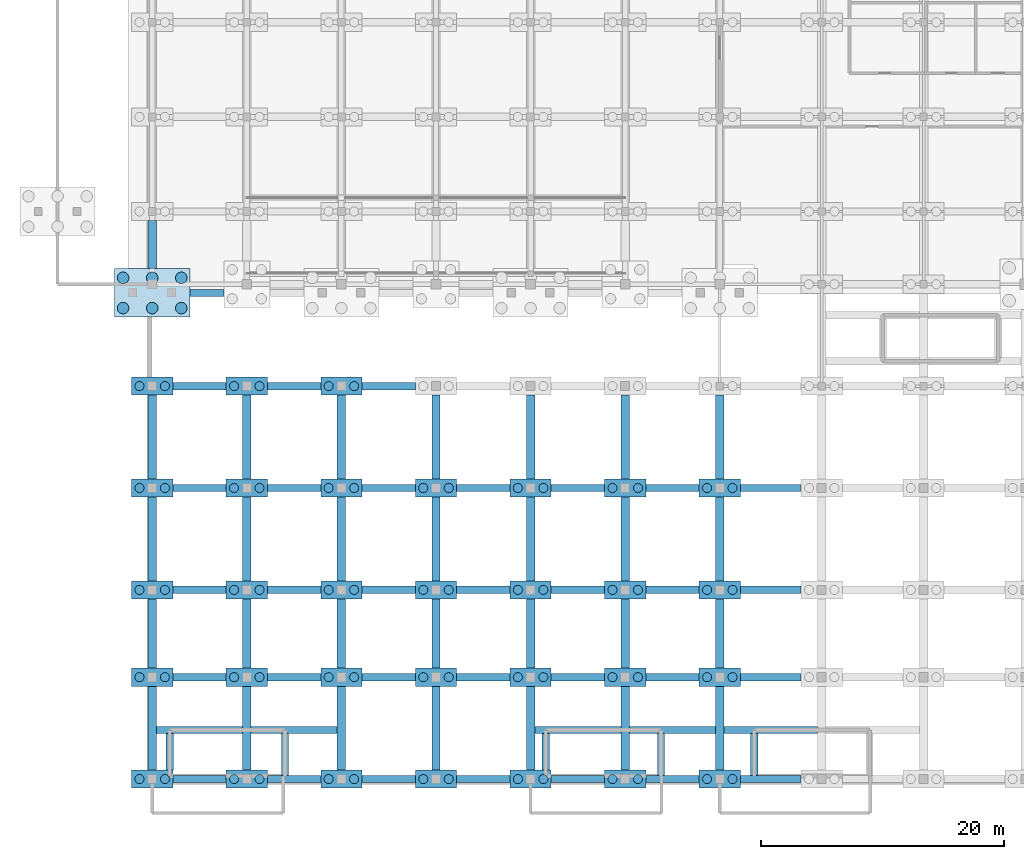
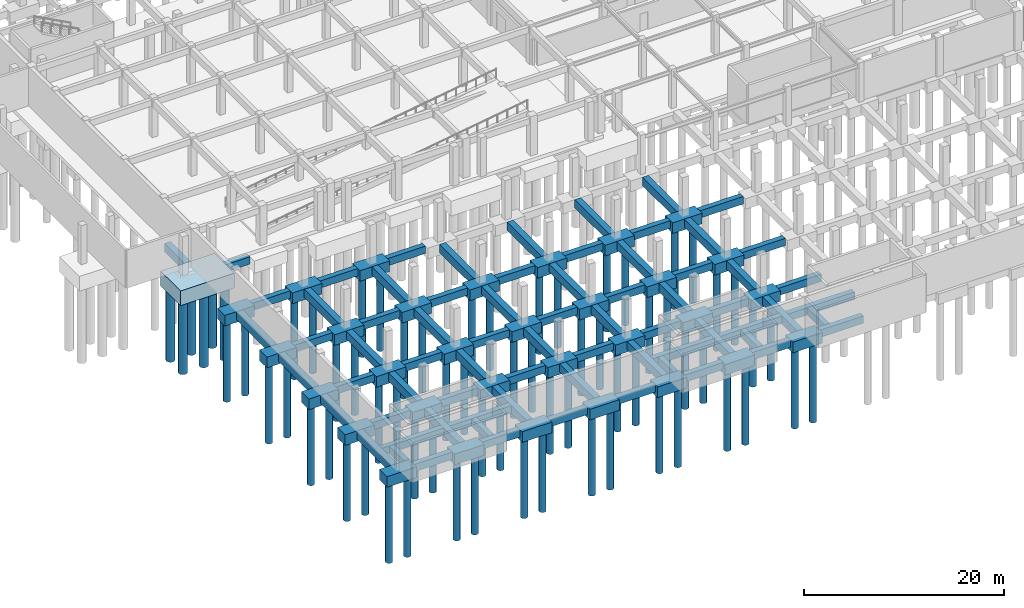
# One storey, part 1 of 26: 103 footings, 68 piles.
"""IFC4 building model written with IfcOpenShell, lengths in metres."""

import ifcopenshell
import ifcopenshell.guid

model = None  # the IFC model being written
_history = None  # IfcOwnerHistory: only IFC2X3 demands one
_inside = {}  # id of a spatial element -> (the spatial element, [elements in it])
_under = {}  # id of a project, library or spatial element -> (it, [spatial elements below it])
_declared = {}  # id of a project -> (the project, [libraries it declares])
_typed = {}  # id of a type object -> (the type object, [elements of that type])
_made_of = {}  # id of a material, layer set ... -> (it, [elements and type objects made of it])


def new_model(schema):
    """Start an empty IFC model of exactly this schema.

    Asked for "IFC4X3", IfcOpenShell would pick the latest addendum, in which some entities
    have other attributes; the version numbers below select the first issue.
    IFC2X3 requires an IfcOwnerHistory on every rooted entity: one is made here for all.
    """
    global model, _history
    if schema == "IFC4X3":
        model = ifcopenshell.file(schema_version=(4, 3, 0, 0))
    else:
        model = ifcopenshell.file(schema=schema)
    _inside.clear()
    _under.clear()
    _declared.clear()
    _typed.clear()
    _made_of.clear()
    _history = None
    if model.schema == "IFC2X3":
        org = make("IfcOrganization", Name="unknown")
        user = make(
            "IfcPersonAndOrganization",
            ThePerson=make("IfcPerson", FamilyName="unknown"),
            TheOrganization=org,
        )
        app = make(
            "IfcApplication",
            ApplicationDeveloper=org,
            Version="unknown",
            ApplicationFullName="unknown",
            ApplicationIdentifier="unknown",
        )
        _history = make(
            "IfcOwnerHistory",
            OwningUser=user,
            OwningApplication=app,
            ChangeAction="ADDED",
            CreationDate=0,
        )
    return model


def make(cls, **values):
    """One entity of the class cls with the attributes given. An attribute that is None is left unset."""
    return model.create_entity(
        cls, **{name: value for name, value in values.items() if value is not None}
    )


def rooted(cls, **values):
    """An entity with a GlobalId (a new one), such as an element, a storey or a relation."""
    return make(cls, GlobalId=ifcopenshell.guid.new(), OwnerHistory=_history, **values)


def si_unit(unit_type, name, prefix=None):
    """IfcSIUnit, for example si_unit("LENGTHUNIT", "METRE", prefix="MILLI")."""
    return make("IfcSIUnit", UnitType=unit_type, Prefix=prefix, Name=name)


def assignment(units):
    """IfcUnitAssignment: the units of a project."""
    return None if units is None else make("IfcUnitAssignment", Units=units)


def point(xyz):
    """IfcCartesianPoint."""
    return None if xyz is None else make("IfcCartesianPoint", Coordinates=xyz)


def direction(xyz):
    """IfcDirection."""
    return None if xyz is None else make("IfcDirection", DirectionRatios=xyz)


def frame(location, z_axis=None, x_axis=None):
    """IfcAxis2Placement3D, a coordinate frame: its origin and axes. An axis left out is left unset."""
    return make(
        "IfcAxis2Placement3D",
        Location=point(location),
        Axis=direction(z_axis),
        RefDirection=direction(x_axis),
    )


def frame_2d(location, x_axis=None):
    """IfcAxis2Placement2D, a coordinate frame in the plane: its origin and x axis."""
    return make(
        "IfcAxis2Placement2D", Location=point(location), RefDirection=direction(x_axis)
    )


def origin():
    """The frame at (0, 0, 0) with its axes left unset."""
    return frame((0.0, 0.0, 0.0))


def origin_2d():
    """The frame at (0, 0) in the plane with its x axis left unset."""
    return frame_2d((0.0, 0.0))


def place(relative_to, where):
    """IfcLocalPlacement: puts the frame where relative to a parent placement (None: the world)."""
    return make(
        "IfcLocalPlacement", PlacementRelTo=relative_to, RelativePlacement=where
    )


def context(
    kind, dimensions, precision=None, world=None, true_north=None, identifier=None
):
    """IfcGeometricRepresentationContext, for example the 3D "Model" context."""
    return make(
        "IfcGeometricRepresentationContext",
        ContextIdentifier=identifier,
        ContextType=kind,
        CoordinateSpaceDimension=dimensions,
        Precision=precision,
        WorldCoordinateSystem=world,
        TrueNorth=true_north,
    )


def subcontext(parent, identifier, kind, view, scale=None):
    """IfcGeometricRepresentationSubContext, for example "Body" below "Model"."""
    return make(
        "IfcGeometricRepresentationSubContext",
        ContextIdentifier=identifier,
        ContextType=kind,
        ParentContext=parent,
        TargetScale=scale,
        TargetView=view,
    )


def project(units=None, contexts=None):
    """IfcProject with its units and contexts."""
    return rooted(
        "IfcProject",
        Name="project",
        RepresentationContexts=contexts,
        UnitsInContext=assignment(units),
    )


def spatial(cls, under=None, at=None, **own):
    """A site, building, storey or space (cls), placed at a placement, below another one or the project."""
    s = rooted(cls, ObjectPlacement=at, **own)
    if under is not None:
        _under.setdefault(under.id(), (under, []))[1].append(s)
    return s


def profile(cls, at=None, kind="AREA", **sizes):
    """A parametric profile (cls). Its sizes go by their IFC names, for example OverallWidth=200.0."""
    return make(cls, ProfileType=kind, Position=at, **sizes)


def rectangle(**sizes):
    """IfcRectangleProfileDef."""
    return profile("IfcRectangleProfileDef", **sizes)


def circle(**sizes):
    """IfcCircleProfileDef."""
    return profile("IfcCircleProfileDef", **sizes)


def extrude(swept, where, along, depth):
    """IfcExtrudedAreaSolid: the profile swept, set in the frame where, extruded along a direction by depth."""
    return make(
        "IfcExtrudedAreaSolid",
        SweptArea=swept,
        Position=where,
        ExtrudedDirection=direction(along),
        Depth=depth,
    )


def shape(context_of_items, identifier, shape_type, items):
    """IfcShapeRepresentation: the items that make up one representation, for example the "Body"."""
    return make(
        "IfcShapeRepresentation",
        ContextOfItems=context_of_items,
        RepresentationIdentifier=identifier,
        RepresentationType=shape_type,
        Items=items,
    )


def material(Name=None, Category=None):
    """IfcMaterial."""
    return make("IfcMaterial", Name=Name, Category=Category)


def material_profile(
    of_material, cross_section, Name=None, Category=None, Priority=None
):
    """IfcMaterialProfile: a cross section and its material."""
    return make(
        "IfcMaterialProfile",
        Name=Name,
        Material=of_material,
        Profile=cross_section,
        Priority=Priority,
        Category=Category,
    )


def profile_set(profiles, Name=None, composite=None):
    """IfcMaterialProfileSet."""
    return make(
        "IfcMaterialProfileSet",
        Name=Name,
        MaterialProfiles=profiles,
        CompositeProfile=composite,
    )


def made_of(thing, what):
    """Note that an element or type object is made of a material, layer set ...; save() writes the relation."""
    if what is not None:
        _made_of.setdefault(what.id(), (what, []))[1].append(thing)
    return thing


def type_object(cls, material=None, **own):
    """A type object (cls), such as IfcWallType, which elements share."""
    return made_of(rooted(cls, **own), material)


def element(
    cls,
    number,
    at=None,
    inside=None,
    cuts=None,
    type_object=None,
    material=None,
    context=None,
    identifier="Body",
    shape_type=None,
    held_by="IfcProductDefinitionShape",
    body=None,
    shapes=None,
    **own,
):
    """One element of the class cls, such as IfcWall. Its Tag is "e" and its number.

    at: its placement. inside: the storey or other place that contains it. cuts: it is an
    opening in that element (IfcRelVoidsElement). A single representation is given by context,
    identifier, shape_type and body (its items); several are given by shapes. held_by: the class
    of the entity that holds the representations. save() writes the other relations.
    """
    e = rooted(cls, Tag="e%d" % number, ObjectPlacement=at, **own)
    if body is not None:
        shapes = [shape(context, identifier, shape_type, body)]
    if shapes is not None:
        e.Representation = make(held_by, Representations=shapes)
    if inside is not None:
        _inside.setdefault(inside.id(), (inside, []))[1].append(e)
    if cuts is not None:
        rooted(
            "IfcRelVoidsElement", RelatingBuildingElement=cuts, RelatedOpeningElement=e
        )
    if type_object is not None:
        _typed.setdefault(type_object.id(), (type_object, []))[1].append(e)
    return made_of(e, material)


def aggregate(whole, parts):
    """IfcRelAggregates: a whole, such as a stair, and the parts it consists of."""
    return rooted("IfcRelAggregates", RelatingObject=whole, RelatedObjects=parts)


def save(model, path):
    """Write the relations noted so far, then the file.

    IfcRelAggregates (storeys below a building ...), IfcRelContainedInSpatialStructure (elements
    in a storey), IfcRelDefinesByType, IfcRelAssociatesMaterial and IfcRelDeclares: one each for
    every whole, place, type object, material and project.
    """
    for whole, parts in _under.values():
        aggregate(whole, parts)
    for where, things in _inside.values():
        rooted(
            "IfcRelContainedInSpatialStructure",
            RelatedElements=things,
            RelatingStructure=where,
        )
    for kind, things in _typed.values():
        rooted("IfcRelDefinesByType", RelatedObjects=things, RelatingType=kind)
    for what, things in _made_of.values():
        rooted("IfcRelAssociatesMaterial", RelatedObjects=things, RelatingMaterial=what)
    for by, libraries in _declared.values():
        rooted("IfcRelDeclares", RelatingContext=by, RelatedDefinitions=libraries)
    model.write(path)


model = new_model("IFC4")

# Units and contexts
model_context = context("Model", 3, precision=1e-05, world=origin(), true_north=direction((0.0, 1.0)))
body_context = subcontext(model_context, "Body", "Model", "MODEL_VIEW")
ifc_project = project(units=[si_unit("LENGTHUNIT", "METRE"), si_unit("AREAUNIT", "SQUARE_METRE"), si_unit("VOLUMEUNIT", "CUBIC_METRE"), si_unit("PLANEANGLEUNIT", "RADIAN"), si_unit("MASSUNIT", "GRAM", prefix="KILO")], contexts=[model_context])

# Site, building, storey
site_placement = place(None, origin())
site = spatial("IfcSite", under=ifc_project, at=site_placement, CompositionType="ELEMENT")
building_placement = place(site_placement, origin())
building = spatial("IfcBuilding", under=site, at=building_placement, Name="Tizgana Railside Sports Hall", CompositionType="ELEMENT")
storey_placement = place(building_placement, frame((0.0, 0.0, -4.800048828125)))
storey = spatial("IfcBuildingStorey", under=building, at=storey_placement, Name="B1", CompositionType="ELEMENT", Elevation=-4.800048828125)

# Piles
ifc_material = material(Name="Concrete C35/45", Category="concrete")
ifc_material_profile_1 = material_profile(ifc_material, circle(Radius=0.375, at=origin_2d()), Name="PILE D750")
ifc_profile_set_1 = profile_set([ifc_material_profile_1], Name="Concrete C35/45")
pile_type_1 = type_object("IfcPileType", Name="Bored Pile D750", PredefinedType="BORED", material=ifc_profile_set_1)
for number, where, z_axis, x_axis, name in (
    (1, (6.75, 0.0, -1.199951171875), (0.0, 0.0, -1.0), (1.0, 0.0, 0.0), "B1 PIL-0025"),
    (2, (8.85009765625, 0.0, -1.199951171875), (0.0, 0.0, -1.0), (1.0, 0.0, 0.0), "B1 PIL-0026"),
    (3, (6.75, 8.39990234375, -1.199951171875), (0.0, 0.0, -1.0), (1.0, 0.0, 0.0), "B1 PIL-0027"),
    (4, (8.85009765625, 8.39990234375, -1.199951171875), (0.0, 0.0, -1.0), (1.0, 0.0, 0.0), "B1 PIL-0028"),
    (5, (6.75, 15.60009765625, -1.199951171875), (0.0, 0.0, -1.0), (1.0, 0.0, 0.0), "B1 PIL-0029"),
    (6, (8.85009765625, 15.60009765625, -1.199951171875), (0.0, 0.0, -1.0), (1.0, 0.0, 0.0), "B1 PIL-0030"),
    (7, (6.75, 24.0, -1.199951171875), (0.0, 0.0, -1.0), (1.0, 0.0, 0.0), "B1 PIL-0031"),
    (8, (8.85009765625, 24.0, -1.199951171875), (0.0, 0.0, -1.0), (1.0, 0.0, 0.0), "B1 PIL-0032"),
    (9, (6.75, 32.39990234375, -1.199951171875), (0.0, 0.0, -1.0), (1.0, 0.0, 0.0), "B1 PIL-0033"),
    (10, (8.85009765625, 32.39990234375, -1.199951171875), (0.0, 0.0, -1.0), (1.0, 0.0, 0.0), "B1 PIL-0034"),
    (11, (14.550048828125, 0.0, -1.199951171875), (0.0, 0.0, -1.0), (1.0, 0.0, 0.0), "B1 PIL-0049"),
    (12, (16.64990234375, 0.0, -1.199951171875), (0.0, 0.0, -1.0), (1.0, 0.0, 0.0), "B1 PIL-0050"),
    (13, (14.550048828125, 8.39990234375, -1.199951171875), (0.0, 0.0, -1.0), (1.0, 0.0, 0.0), "B1 PIL-0051"),
    (14, (16.64990234375, 8.39990234375, -1.199951171875), (0.0, 0.0, -1.0), (1.0, 0.0, 0.0), "B1 PIL-0052"),
    (15, (14.550048828125, 15.60009765625, -1.199951171875), (0.0, 0.0, -1.0), (1.0, 0.0, 0.0), "B1 PIL-0053"),
    (16, (16.64990234375, 15.60009765625, -1.199951171875), (0.0, 0.0, -1.0), (1.0, 0.0, 0.0), "B1 PIL-0054"),
    (17, (14.550048828125, 24.0, -1.199951171875), (0.0, 0.0, -1.0), (1.0, 0.0, 0.0), "B1 PIL-0055"),
    (18, (16.64990234375, 24.0, -1.199951171875), (0.0, 0.0, -1.0), (1.0, 0.0, 0.0), "B1 PIL-0056"),
    (19, (14.550048828125, 32.39990234375, -1.199951171875), (0.0, 0.0, -1.0), (1.0, 0.0, 0.0), "B1 PIL-0057"),
    (20, (16.64990234375, 32.39990234375, -1.199951171875), (0.0, 0.0, -1.0), (1.0, 0.0, 0.0), "B1 PIL-0058"),
    (21, (22.35009765625, 0.0, -1.199951171875), (0.0, 0.0, -1.0), (1.0, 0.0, 0.0), "B1 PIL-0093"),
    (22, (24.449951171875, 0.0, -1.199951171875), (0.0, 0.0, -1.0), (1.0, 0.0, 0.0), "B1 PIL-0094"),
    (23, (22.35009765625, 8.39990234375, -1.199951171875), (0.0, 0.0, -1.0), (1.0, 0.0, 0.0), "B1 PIL-0095"),
    (24, (24.449951171875, 8.39990234375, -1.199951171875), (0.0, 0.0, -1.0), (1.0, 0.0, 0.0), "B1 PIL-0096"),
    (25, (22.35009765625, 15.60009765625, -1.199951171875), (0.0, 0.0, -1.0), (1.0, 0.0, 0.0), "B1 PIL-0097"),
    (26, (24.449951171875, 15.60009765625, -1.199951171875), (0.0, 0.0, -1.0), (1.0, 0.0, 0.0), "B1 PIL-0098"),
    (27, (22.35009765625, 24.0, -1.199951171875), (0.0, 0.0, -1.0), (1.0, 0.0, 0.0), "B1 PIL-0099"),
    (28, (24.449951171875, 24.0, -1.199951171875), (0.0, 0.0, -1.0), (1.0, 0.0, 0.0), "B1 PIL-0100"),
    (29, (22.35009765625, 32.39990234375, -1.199951171875), (0.0, 0.0, -1.0), (1.0, 0.0, 0.0), "B1 PIL-0101"),
    (30, (24.449951171875, 32.39990234375, -1.199951171875), (0.0, 0.0, -1.0), (1.0, 0.0, 0.0), "B1 PIL-0102"),
    (31, (30.14990234375, 0.0, -1.199951171875), (0.0, 0.0, -1.0), (1.0, 0.0, 0.0), "B1 PIL-0117"),
    (32, (32.25, 0.0, -1.199951171875), (0.0, 0.0, -1.0), (1.0, 0.0, 0.0), "B1 PIL-0118"),
    (33, (30.14990234375, 8.39990234375, -1.199951171875), (0.0, 0.0, -1.0), (1.0, 0.0, 0.0), "B1 PIL-0119"),
    (34, (32.25, 8.39990234375, -1.199951171875), (0.0, 0.0, -1.0), (1.0, 0.0, 0.0), "B1 PIL-0120"),
    (35, (30.14990234375, 15.60009765625, -1.199951171875), (0.0, 0.0, -1.0), (1.0, 0.0, 0.0), "B1 PIL-0121"),
    (36, (32.25, 15.60009765625, -1.199951171875), (0.0, 0.0, -1.0), (1.0, 0.0, 0.0), "B1 PIL-0122"),
    (37, (30.14990234375, 24.0, -1.199951171875), (0.0, 0.0, -1.0), (1.0, 0.0, 0.0), "B1 PIL-0123"),
    (38, (32.25, 24.0, -1.199951171875), (0.0, 0.0, -1.0), (1.0, 0.0, 0.0), "B1 PIL-0124"),
    (39, (37.949951171875, 0.0, -1.199951171875), (0.0, 0.0, -1.0), (1.0, 0.0, 0.0), "B1 PIL-0161"),
    (40, (40.050048828125, 0.0, -1.199951171875), (0.0, 0.0, -1.0), (1.0, 0.0, 0.0), "B1 PIL-0162"),
    (41, (37.949951171875, 8.39990234375, -1.199951171875), (0.0, 0.0, -1.0), (1.0, 0.0, 0.0), "B1 PIL-0163"),
    (42, (40.050048828125, 8.39990234375, -1.199951171875), (0.0, 0.0, -1.0), (1.0, 0.0, 0.0), "B1 PIL-0164"),
    (43, (37.949951171875, 15.60009765625, -1.199951171875), (0.0, 0.0, -1.0), (1.0, 0.0, 0.0), "B1 PIL-0165"),
    (44, (40.050048828125, 15.60009765625, -1.199951171875), (0.0, 0.0, -1.0), (1.0, 0.0, 0.0), "B1 PIL-0166"),
    (45, (37.949951171875, 24.0, -1.199951171875), (0.0, 0.0, -1.0), (1.0, 0.0, 0.0), "B1 PIL-0167"),
    (46, (40.050048828125, 24.0, -1.199951171875), (0.0, 0.0, -1.0), (1.0, 0.0, 0.0), "B1 PIL-0168"),
    (47, (45.75, 0.0, -1.199951171875), (0.0, 0.0, -1.0), (1.0, 0.0, 0.0), "B1 PIL-0181"),
    (48, (47.85009765625, 0.0, -1.199951171875), (0.0, 0.0, -1.0), (1.0, 0.0, 0.0), "B1 PIL-0182"),
    (49, (45.75, 8.39990234375, -1.199951171875), (0.0, 0.0, -1.0), (1.0, 0.0, 0.0), "B1 PIL-0183"),
    (50, (47.85009765625, 8.39990234375, -1.199951171875), (0.0, 0.0, -1.0), (1.0, 0.0, 0.0), "B1 PIL-0184"),
    (51, (45.75, 15.60009765625, -1.199951171875), (0.0, 0.0, -1.0), (1.0, 0.0, 0.0), "B1 PIL-0185"),
    (52, (47.85009765625, 15.60009765625, -1.199951171875), (0.0, 0.0, -1.0), (1.0, 0.0, 0.0), "B1 PIL-0186"),
    (53, (45.75, 24.0, -1.199951171875), (0.0, 0.0, -1.0), (1.0, 0.0, 0.0), "B1 PIL-0187"),
    (54, (47.85009765625, 24.0, -1.199951171875), (0.0, 0.0, -1.0), (1.0, 0.0, 0.0), "B1 PIL-0188"),
    (55, (53.550048828125, 0.0, -1.199951171875), (0.0, 0.0, -1.0), (1.0, 0.0, 0.0), "B1 PIL-0221"),
    (56, (55.64990234375, 0.0, -1.199951171875), (0.0, 0.0, -1.0), (1.0, 0.0, 0.0), "B1 PIL-0222"),
    (57, (53.550048828125, 8.39990234375, -1.199951171875), (0.0, 0.0, -1.0), (1.0, 0.0, 0.0), "B1 PIL-0223"),
    (58, (55.64990234375, 8.39990234375, -1.199951171875), (0.0, 0.0, -1.0), (1.0, 0.0, 0.0), "B1 PIL-0224"),
    (59, (53.550048828125, 15.60009765625, -1.199951171875), (0.0, 0.0, -1.0), (1.0, 0.0, 0.0), "B1 PIL-0225"),
    (60, (55.64990234375, 15.60009765625, -1.199951171875), (0.0, 0.0, -1.0), (1.0, 0.0, 0.0), "B1 PIL-0226"),
    (61, (53.550048828125, 24.0, -1.199951171875), (0.0, 0.0, -1.0), (1.0, 0.0, 0.0), "B1 PIL-0227"),
    (62, (55.64990234375, 24.0, -1.199951171875), (0.0, 0.0, -1.0), (1.0, 0.0, 0.0), "B1 PIL-0228"),
):
    element("IfcPile", number, at=place(storey_placement, frame(where, z_axis=z_axis, x_axis=x_axis)), inside=storey, type_object=pile_type_1, Name=name, PredefinedType="BORED", context=body_context, shape_type="SweptSolid", body=[
        extrude(circle(Radius=0.375, at=origin_2d()), origin(), (0.0, 0.0, 1.0), 9.800048828125),
    ])
ifc_material_profile_2 = material_profile(ifc_material, circle(Radius=0.47509765625, at=origin_2d()), Name="PILE D950")
ifc_profile_set_2 = profile_set([ifc_material_profile_2], Name="Concrete C35/45")
pile_type_2 = type_object("IfcPileType", Name="Bored Pile D950", PredefinedType="BORED", material=ifc_profile_set_2)
for number, where, z_axis, x_axis, name in (
    (63, (5.39990234375, 38.830078125, -2.119873046875), (0.0, 0.0, -1.0), (1.0, 0.0, 0.0), "B1 PIL-0013"),
    (64, (5.39990234375, 41.330078125, -2.119873046875), (0.0, 0.0, -1.0), (1.0, 0.0, 0.0), "B1 PIL-0014"),
    (65, (7.800048828125, 38.830078125, -2.119873046875), (0.0, 0.0, -1.0), (1.0, 0.0, 0.0), "B1 PIL-0015"),
    (66, (7.800048828125, 41.330078125, -2.119873046875), (0.0, 0.0, -1.0), (1.0, 0.0, 0.0), "B1 PIL-0016"),
    (67, (10.199951171875, 38.830078125, -2.119873046875), (0.0, 0.0, -1.0), (1.0, 0.0, 0.0), "B1 PIL-0017"),
    (68, (10.199951171875, 41.330078125, -2.119873046875), (0.0, 0.0, -1.0), (1.0, 0.0, 0.0), "B1 PIL-0018"),
):
    element("IfcPile", number, at=place(storey_placement, frame(where, z_axis=z_axis, x_axis=x_axis)), inside=storey, type_object=pile_type_2, Name=name, PredefinedType="BORED", context=body_context, shape_type="SweptSolid", body=[
        extrude(circle(Radius=0.47509765625, at=origin_2d()), origin(), (0.0, 0.0, 1.0), 8.8798828125),
    ])

# Footings
footing_type_1 = type_object("IfcFootingType", Name="Ground Tie Beam 600x900", PredefinedType="FOOTING_BEAM", material=ifc_material)
for number, where, z_axis, x_axis, name in (
    (69, (11.699951171875, 0.0, -0.89990234375), (0.0, 0.0, 1.0), (1.0, 0.0, 0.0), "B1 FTG-0235"),
    (70, (19.5, 0.0, -0.89990234375), (0.0, 0.0, 1.0), (1.0, 0.0, 0.0), "B1 FTG-0236"),
    (71, (27.300048828125, 0.0, -0.89990234375), (0.0, 0.0, 1.0), (1.0, 0.0, 0.0), "B1 FTG-0237"),
    (72, (35.10009765625, 0.0, -0.89990234375), (0.0, 0.0, 1.0), (1.0, 0.0, 0.0), "B1 FTG-0238"),
    (73, (42.89990234375, 0.0, -0.89990234375), (0.0, 0.0, 1.0), (1.0, 0.0, 0.0), "B1 FTG-0239"),
    (74, (50.699951171875, 0.0, -0.89990234375), (0.0, 0.0, 1.0), (1.0, 0.0, 0.0), "B1 FTG-0240"),
):
    element("IfcFooting", number, at=place(storey_placement, frame(where, z_axis=z_axis, x_axis=x_axis)), inside=storey, type_object=footing_type_1, Name=name, PredefinedType="FOOTING_BEAM", context=body_context, shape_type="SweptSolid", body=[
        extrude(rectangle(XDim=4.404052734375, YDim=0.60009765625, at=origin_2d()), origin(), (0.0, 0.0, 1.0), 0.89990234375),
    ])
footing_1_placement = place(storey_placement, frame((58.800048828125, 0.0, -0.89990234375), z_axis=(0.0, 0.0, 1.0), x_axis=(1.0, 0.0, 0.0)))
element("IfcFooting", 75, at=footing_1_placement, inside=storey, type_object=footing_type_1, Name="B1 FTG-0241", PredefinedType="FOOTING_BEAM", context=body_context, shape_type="SweptSolid", body=[
    extrude(rectangle(XDim=5.00390625, YDim=0.60009765625, at=origin_2d()), origin(), (0.0, 0.0, 1.0), 0.89990234375),
])
for number, where, z_axis, x_axis, name in (
    (76, (11.699951171875, 8.39990234375, -0.89990234375), (0.0, 0.0, 1.0), (1.0, 0.0, 0.0), "B1 FTG-0249"),
    (77, (19.5, 8.39990234375, -0.89990234375), (0.0, 0.0, 1.0), (1.0, 0.0, 0.0), "B1 FTG-0250"),
    (78, (27.300048828125, 8.39990234375, -0.89990234375), (0.0, 0.0, 1.0), (1.0, 0.0, 0.0), "B1 FTG-0251"),
    (79, (35.10009765625, 8.39990234375, -0.89990234375), (0.0, 0.0, 1.0), (1.0, 0.0, 0.0), "B1 FTG-0252"),
    (80, (42.89990234375, 8.39990234375, -0.89990234375), (0.0, 0.0, 1.0), (1.0, 0.0, 0.0), "B1 FTG-0253"),
    (81, (50.699951171875, 8.39990234375, -0.89990234375), (0.0, 0.0, 1.0), (1.0, 0.0, 0.0), "B1 FTG-0254"),
):
    element("IfcFooting", number, at=place(storey_placement, frame(where, z_axis=z_axis, x_axis=x_axis)), inside=storey, type_object=footing_type_1, Name=name, PredefinedType="FOOTING_BEAM", context=body_context, shape_type="SweptSolid", body=[
        extrude(rectangle(XDim=4.404052734375, YDim=0.60009765625, at=origin_2d()), origin(), (0.0, 0.0, 1.0), 0.89990234375),
    ])
footing_2_placement = place(storey_placement, frame((58.800048828125, 8.39990234375, -0.89990234375), z_axis=(0.0, 0.0, 1.0), x_axis=(1.0, 0.0, 0.0)))
element("IfcFooting", 82, at=footing_2_placement, inside=storey, type_object=footing_type_1, Name="B1 FTG-0255", PredefinedType="FOOTING_BEAM", context=body_context, shape_type="SweptSolid", body=[
    extrude(rectangle(XDim=5.00390625, YDim=0.60009765625, at=origin_2d()), origin(), (0.0, 0.0, 1.0), 0.89990234375),
])
for number, where, z_axis, x_axis, name in (
    (83, (11.699951171875, 15.60009765625, -0.89990234375), (0.0, 0.0, 1.0), (1.0, 0.0, 0.0), "B1 FTG-0263"),
    (84, (19.5, 15.60009765625, -0.89990234375), (0.0, 0.0, 1.0), (1.0, 0.0, 0.0), "B1 FTG-0264"),
    (85, (27.300048828125, 15.60009765625, -0.89990234375), (0.0, 0.0, 1.0), (1.0, 0.0, 0.0), "B1 FTG-0265"),
    (86, (35.10009765625, 15.60009765625, -0.89990234375), (0.0, 0.0, 1.0), (1.0, 0.0, 0.0), "B1 FTG-0266"),
    (87, (42.89990234375, 15.60009765625, -0.89990234375), (0.0, 0.0, 1.0), (1.0, 0.0, 0.0), "B1 FTG-0267"),
    (88, (50.699951171875, 15.60009765625, -0.89990234375), (0.0, 0.0, 1.0), (1.0, 0.0, 0.0), "B1 FTG-0268"),
):
    element("IfcFooting", number, at=place(storey_placement, frame(where, z_axis=z_axis, x_axis=x_axis)), inside=storey, type_object=footing_type_1, Name=name, PredefinedType="FOOTING_BEAM", context=body_context, shape_type="SweptSolid", body=[
        extrude(rectangle(XDim=4.404052734375, YDim=0.60009765625, at=origin_2d()), origin(), (0.0, 0.0, 1.0), 0.89990234375),
    ])
footing_3_placement = place(storey_placement, frame((58.800048828125, 15.60009765625, -0.89990234375), z_axis=(0.0, 0.0, 1.0), x_axis=(1.0, 0.0, 0.0)))
element("IfcFooting", 89, at=footing_3_placement, inside=storey, type_object=footing_type_1, Name="B1 FTG-0269", PredefinedType="FOOTING_BEAM", context=body_context, shape_type="SweptSolid", body=[
    extrude(rectangle(XDim=5.00390625, YDim=0.60009765625, at=origin_2d()), origin(), (0.0, 0.0, 1.0), 0.89990234375),
])
for number, where, z_axis, x_axis, name in (
    (90, (11.699951171875, 24.0, -0.89990234375), (0.0, 0.0, 1.0), (1.0, 0.0, 0.0), "B1 FTG-0277"),
    (91, (19.5, 24.0, -0.89990234375), (0.0, 0.0, 1.0), (1.0, 0.0, 0.0), "B1 FTG-0278"),
    (92, (27.300048828125, 24.0, -0.89990234375), (0.0, 0.0, 1.0), (1.0, 0.0, 0.0), "B1 FTG-0279"),
    (93, (35.10009765625, 24.0, -0.89990234375), (0.0, 0.0, 1.0), (1.0, 0.0, 0.0), "B1 FTG-0280"),
    (94, (42.89990234375, 24.0, -0.89990234375), (0.0, 0.0, 1.0), (1.0, 0.0, 0.0), "B1 FTG-0281"),
    (95, (50.699951171875, 24.0, -0.89990234375), (0.0, 0.0, 1.0), (1.0, 0.0, 0.0), "B1 FTG-0282"),
):
    element("IfcFooting", number, at=place(storey_placement, frame(where, z_axis=z_axis, x_axis=x_axis)), inside=storey, type_object=footing_type_1, Name=name, PredefinedType="FOOTING_BEAM", context=body_context, shape_type="SweptSolid", body=[
        extrude(rectangle(XDim=4.404052734375, YDim=0.60009765625, at=origin_2d()), origin(), (0.0, 0.0, 1.0), 0.89990234375),
    ])
footing_4_placement = place(storey_placement, frame((58.800048828125, 24.0, -0.89990234375), z_axis=(0.0, 0.0, 1.0), x_axis=(1.0, 0.0, 0.0)))
element("IfcFooting", 96, at=footing_4_placement, inside=storey, type_object=footing_type_1, Name="B1 FTG-0283", PredefinedType="FOOTING_BEAM", context=body_context, shape_type="SweptSolid", body=[
    extrude(rectangle(XDim=5.00390625, YDim=0.60009765625, at=origin_2d()), origin(), (0.0, 0.0, 1.0), 0.89990234375),
])
for number, where, z_axis, x_axis, name in (
    (97, (11.699951171875, 32.39990234375, -0.89990234375), (0.0, 0.0, 1.0), (1.0, 0.0, 0.0), "B1 FTG-0291"),
    (98, (19.5, 32.39990234375, -0.89990234375), (0.0, 0.0, 1.0), (1.0, 0.0, 0.0), "B1 FTG-0292"),
    (99, (27.300048828125, 32.39990234375, -0.89990234375), (0.0, 0.0, 1.0), (1.0, 0.0, 0.0), "B1 FTG-0293"),
):
    element("IfcFooting", number, at=place(storey_placement, frame(where, z_axis=z_axis, x_axis=x_axis)), inside=storey, type_object=footing_type_1, Name=name, PredefinedType="FOOTING_BEAM", context=body_context, shape_type="SweptSolid", body=[
        extrude(rectangle(XDim=4.404052734375, YDim=0.60009765625, at=origin_2d()), origin(), (0.0, 0.0, 1.0), 0.89990234375),
    ])
footing_5_placement = place(storey_placement, frame((12.300048828125, 40.080078125, -1.31982421875), z_axis=(0.0, 0.0, 1.0), x_axis=(1.0, 0.0, 0.0)))
element("IfcFooting", 100, at=footing_5_placement, inside=storey, type_object=footing_type_1, Name="B1 FTG-0305", PredefinedType="FOOTING_BEAM", context=body_context, shape_type="SweptSolid", body=[
    extrude(rectangle(XDim=2.803955078125, YDim=0.60009765625, at=origin_2d()), origin(), (0.0, 0.0, 1.0), 0.89990234375),
])
for number, where, z_axis, x_axis, name in (
    (101, (11.699951171875, 4.050048828125, -0.89990234375), (0.0, 0.0, 1.0), (1.0, 0.0, 0.0), "B1 FTG-0631"),
    (102, (19.5, 4.050048828125, -0.89990234375), (0.0, 0.0, 1.0), (1.0, 0.0, 0.0), "B1 FTG-0632"),
    (103, (42.89990234375, 4.050048828125, -0.89990234375), (0.0, 0.0, 1.0), (1.0, 0.0, 0.0), "B1 FTG-0633"),
    (104, (50.699951171875, 4.050048828125, -0.89990234375), (0.0, 0.0, 1.0), (1.0, 0.0, 0.0), "B1 FTG-0634"),
):
    element("IfcFooting", number, at=place(storey_placement, frame(where, z_axis=z_axis, x_axis=x_axis)), inside=storey, type_object=footing_type_1, Name=name, PredefinedType="FOOTING_BEAM", context=body_context, shape_type="SweptSolid", body=[
        extrude(rectangle(XDim=7.10400390625, YDim=0.60009765625, at=origin_2d()), origin(), (0.0, 0.0, 1.0), 0.89990234375),
    ])
footing_6_placement = place(storey_placement, frame((58.800048828125, 4.050048828125, -0.89990234375), z_axis=(0.0, 0.0, 1.0), x_axis=(1.0, 0.0, 0.0)))
element("IfcFooting", 105, at=footing_6_placement, inside=storey, type_object=footing_type_1, Name="B1 FTG-0635", PredefinedType="FOOTING_BEAM", context=body_context, shape_type="SweptSolid", body=[
    extrude(rectangle(XDim=7.7041015625, YDim=0.60009765625, at=origin_2d()), origin(), (0.0, 0.0, 1.0), 0.89990234375),
])
footing_7_placement = place(storey_placement, frame((9.25, 2.25, -0.89990234375), z_axis=(0.0, 0.0, 1.0), x_axis=(0.0, 1.0, 0.0)))
element("IfcFooting", 106, at=footing_7_placement, inside=storey, type_object=footing_type_1, Name="B1 FTG-0645", PredefinedType="FOOTING_BEAM", context=body_context, shape_type="SweptSolid", body=[
    extrude(rectangle(XDim=3.00390625, YDim=0.60009765625, at=origin_2d()), origin(), (0.0, 0.0, 1.0), 0.89990234375),
])
footing_8_placement = place(storey_placement, frame((18.75, 2.02490234375, -0.89990234375), z_axis=(0.0, 0.0, 1.0), x_axis=(0.0, 1.0, 0.0)))
element("IfcFooting", 107, at=footing_8_placement, inside=storey, type_object=footing_type_1, Name="B1 FTG-0646", PredefinedType="FOOTING_BEAM", context=body_context, shape_type="SweptSolid", body=[
    extrude(rectangle(XDim=3.4541015625, YDim=0.60009765625, at=origin_2d()), origin(), (0.0, 0.0, 1.0), 0.89990234375),
])
footing_9_placement = place(storey_placement, frame((40.25, 2.25, -0.89990234375), z_axis=(0.0, 0.0, 1.0), x_axis=(0.0, 1.0, 0.0)))
element("IfcFooting", 108, at=footing_9_placement, inside=storey, type_object=footing_type_1, Name="B1 FTG-0647", PredefinedType="FOOTING_BEAM", context=body_context, shape_type="SweptSolid", body=[
    extrude(rectangle(XDim=3.00390625, YDim=0.60009765625, at=origin_2d()), origin(), (0.0, 0.0, 1.0), 0.89990234375),
])
for number, where, z_axis, x_axis, name in (
    (109, (49.75, 2.02490234375, -0.89990234375), (0.0, 0.0, 1.0), (0.0, 1.0, 0.0), "B1 FTG-0648"),
    (110, (57.449951171875, 2.02490234375, -0.89990234375), (0.0, 0.0, 1.0), (0.0, 1.0, 0.0), "B1 FTG-0649"),
):
    element("IfcFooting", number, at=place(storey_placement, frame(where, z_axis=z_axis, x_axis=x_axis)), inside=storey, type_object=footing_type_1, Name=name, PredefinedType="FOOTING_BEAM", context=body_context, shape_type="SweptSolid", body=[
        extrude(rectangle(XDim=3.4541015625, YDim=0.60009765625, at=origin_2d()), origin(), (0.0, 0.0, 1.0), 0.89990234375),
    ])
footing_type_2 = type_object("IfcFootingType", Name="Perimeter Ground Beam 700x1000", PredefinedType="FOOTING_BEAM", material=ifc_material)
footing_10_placement = place(storey_placement, frame((7.800048828125, 4.199951171875, -1.0), z_axis=(0.0, 0.0, 1.0), x_axis=(0.0, 1.0, 0.0)))
element("IfcFooting", 111, at=footing_10_placement, inside=storey, type_object=footing_type_2, Name="B1 FTG-0443", PredefinedType="FOOTING_BEAM", context=body_context, shape_type="SweptSolid", body=[
    extrude(rectangle(XDim=6.904052734375, YDim=0.699951171875, at=origin_2d()), origin(), (0.0, 0.0, 1.0), 1.0),
])
footing_11_placement = place(storey_placement, frame((7.800048828125, 12.0, -1.0), z_axis=(0.0, 0.0, 1.0), x_axis=(0.0, 1.0, 0.0)))
element("IfcFooting", 112, at=footing_11_placement, inside=storey, type_object=footing_type_2, Name="B1 FTG-0444", PredefinedType="FOOTING_BEAM", context=body_context, shape_type="SweptSolid", body=[
    extrude(rectangle(XDim=5.7041015625, YDim=0.699951171875, at=origin_2d()), origin(), (0.0, 0.0, 1.0), 1.0),
])
for number, where, z_axis, x_axis, name in (
    (113, (7.800048828125, 19.800048828125, -1.0), (0.0, 0.0, 1.0), (0.0, 1.0, 0.0), "B1 FTG-0445"),
    (114, (7.800048828125, 28.199951171875, -1.0), (0.0, 0.0, 1.0), (0.0, 1.0, 0.0), "B1 FTG-0446"),
):
    element("IfcFooting", number, at=place(storey_placement, frame(where, z_axis=z_axis, x_axis=x_axis)), inside=storey, type_object=footing_type_2, Name=name, PredefinedType="FOOTING_BEAM", context=body_context, shape_type="SweptSolid", body=[
        extrude(rectangle(XDim=6.904052734375, YDim=0.699951171875, at=origin_2d()), origin(), (0.0, 0.0, 1.0), 1.0),
    ])
footing_12_placement = place(storey_placement, frame((7.800048828125, 44.06494140625, -1.419921875), z_axis=(0.0, 0.0, 1.0), x_axis=(0.0, 1.0, 0.0)))
element("IfcFooting", 115, at=footing_12_placement, inside=storey, type_object=footing_type_2, Name="B1 FTG-0447", PredefinedType="FOOTING_BEAM", context=body_context, shape_type="SweptSolid", body=[
    extrude(rectangle(XDim=3.97412109375, YDim=0.699951171875, at=origin_2d()), origin(), (0.0, 0.0, 1.0), 1.0),
])
footing_13_placement = place(storey_placement, frame((15.60009765625, 4.199951171875, -1.0), z_axis=(0.0, 0.0, 1.0), x_axis=(0.0, 1.0, 0.0)))
element("IfcFooting", 116, at=footing_13_placement, inside=storey, type_object=footing_type_2, Name="B1 FTG-0454", PredefinedType="FOOTING_BEAM", context=body_context, shape_type="SweptSolid", body=[
    extrude(rectangle(XDim=6.904052734375, YDim=0.699951171875, at=origin_2d()), origin(), (0.0, 0.0, 1.0), 1.0),
])
footing_14_placement = place(storey_placement, frame((15.60009765625, 12.0, -1.0), z_axis=(0.0, 0.0, 1.0), x_axis=(0.0, 1.0, 0.0)))
element("IfcFooting", 117, at=footing_14_placement, inside=storey, type_object=footing_type_2, Name="B1 FTG-0455", PredefinedType="FOOTING_BEAM", context=body_context, shape_type="SweptSolid", body=[
    extrude(rectangle(XDim=5.7041015625, YDim=0.699951171875, at=origin_2d()), origin(), (0.0, 0.0, 1.0), 1.0),
])
for number, where, z_axis, x_axis, name in (
    (118, (15.60009765625, 19.800048828125, -1.0), (0.0, 0.0, 1.0), (0.0, 1.0, 0.0), "B1 FTG-0456"),
    (119, (15.60009765625, 28.199951171875, -1.0), (0.0, 0.0, 1.0), (0.0, 1.0, 0.0), "B1 FTG-0457"),
    (120, (23.39990234375, 4.199951171875, -1.0), (0.0, 0.0, 1.0), (0.0, 1.0, 0.0), "B1 FTG-0465"),
):
    element("IfcFooting", number, at=place(storey_placement, frame(where, z_axis=z_axis, x_axis=x_axis)), inside=storey, type_object=footing_type_2, Name=name, PredefinedType="FOOTING_BEAM", context=body_context, shape_type="SweptSolid", body=[
        extrude(rectangle(XDim=6.904052734375, YDim=0.699951171875, at=origin_2d()), origin(), (0.0, 0.0, 1.0), 1.0),
    ])
footing_15_placement = place(storey_placement, frame((23.39990234375, 12.0, -1.0), z_axis=(0.0, 0.0, 1.0), x_axis=(0.0, 1.0, 0.0)))
element("IfcFooting", 121, at=footing_15_placement, inside=storey, type_object=footing_type_2, Name="B1 FTG-0466", PredefinedType="FOOTING_BEAM", context=body_context, shape_type="SweptSolid", body=[
    extrude(rectangle(XDim=5.7041015625, YDim=0.699951171875, at=origin_2d()), origin(), (0.0, 0.0, 1.0), 1.0),
])
for number, where, z_axis, x_axis, name in (
    (122, (23.39990234375, 19.800048828125, -1.0), (0.0, 0.0, 1.0), (0.0, 1.0, 0.0), "B1 FTG-0467"),
    (123, (23.39990234375, 28.199951171875, -1.0), (0.0, 0.0, 1.0), (0.0, 1.0, 0.0), "B1 FTG-0468"),
    (124, (31.199951171875, 4.199951171875, -1.0), (0.0, 0.0, 1.0), (0.0, 1.0, 0.0), "B1 FTG-0476"),
):
    element("IfcFooting", number, at=place(storey_placement, frame(where, z_axis=z_axis, x_axis=x_axis)), inside=storey, type_object=footing_type_2, Name=name, PredefinedType="FOOTING_BEAM", context=body_context, shape_type="SweptSolid", body=[
        extrude(rectangle(XDim=6.904052734375, YDim=0.699951171875, at=origin_2d()), origin(), (0.0, 0.0, 1.0), 1.0),
    ])
footing_16_placement = place(storey_placement, frame((31.199951171875, 12.0, -1.0), z_axis=(0.0, 0.0, 1.0), x_axis=(0.0, 1.0, 0.0)))
element("IfcFooting", 125, at=footing_16_placement, inside=storey, type_object=footing_type_2, Name="B1 FTG-0477", PredefinedType="FOOTING_BEAM", context=body_context, shape_type="SweptSolid", body=[
    extrude(rectangle(XDim=5.7041015625, YDim=0.699951171875, at=origin_2d()), origin(), (0.0, 0.0, 1.0), 1.0),
])
for number, where, z_axis, x_axis, name in (
    (126, (31.199951171875, 19.800048828125, -1.0), (0.0, 0.0, 1.0), (0.0, 1.0, 0.0), "B1 FTG-0478"),
    (127, (31.199951171875, 28.199951171875, -1.0), (0.0, 0.0, 1.0), (0.0, 1.0, 0.0), "B1 FTG-0479"),
    (128, (39.0, 4.199951171875, -1.0), (0.0, 0.0, 1.0), (0.0, 1.0, 0.0), "B1 FTG-0487"),
):
    element("IfcFooting", number, at=place(storey_placement, frame(where, z_axis=z_axis, x_axis=x_axis)), inside=storey, type_object=footing_type_2, Name=name, PredefinedType="FOOTING_BEAM", context=body_context, shape_type="SweptSolid", body=[
        extrude(rectangle(XDim=6.904052734375, YDim=0.699951171875, at=origin_2d()), origin(), (0.0, 0.0, 1.0), 1.0),
    ])
footing_17_placement = place(storey_placement, frame((39.0, 12.0, -1.0), z_axis=(0.0, 0.0, 1.0), x_axis=(0.0, 1.0, 0.0)))
element("IfcFooting", 129, at=footing_17_placement, inside=storey, type_object=footing_type_2, Name="B1 FTG-0488", PredefinedType="FOOTING_BEAM", context=body_context, shape_type="SweptSolid", body=[
    extrude(rectangle(XDim=5.7041015625, YDim=0.699951171875, at=origin_2d()), origin(), (0.0, 0.0, 1.0), 1.0),
])
for number, where, z_axis, x_axis, name in (
    (130, (39.0, 19.800048828125, -1.0), (0.0, 0.0, 1.0), (0.0, 1.0, 0.0), "B1 FTG-0489"),
    (131, (39.0, 28.199951171875, -1.0), (0.0, 0.0, 1.0), (0.0, 1.0, 0.0), "B1 FTG-0490"),
    (132, (46.800048828125, 4.199951171875, -1.0), (0.0, 0.0, 1.0), (0.0, 1.0, 0.0), "B1 FTG-0497"),
):
    element("IfcFooting", number, at=place(storey_placement, frame(where, z_axis=z_axis, x_axis=x_axis)), inside=storey, type_object=footing_type_2, Name=name, PredefinedType="FOOTING_BEAM", context=body_context, shape_type="SweptSolid", body=[
        extrude(rectangle(XDim=6.904052734375, YDim=0.699951171875, at=origin_2d()), origin(), (0.0, 0.0, 1.0), 1.0),
    ])
footing_18_placement = place(storey_placement, frame((46.800048828125, 12.0, -1.0), z_axis=(0.0, 0.0, 1.0), x_axis=(0.0, 1.0, 0.0)))
element("IfcFooting", 133, at=footing_18_placement, inside=storey, type_object=footing_type_2, Name="B1 FTG-0498", PredefinedType="FOOTING_BEAM", context=body_context, shape_type="SweptSolid", body=[
    extrude(rectangle(XDim=5.7041015625, YDim=0.699951171875, at=origin_2d()), origin(), (0.0, 0.0, 1.0), 1.0),
])
for number, where, z_axis, x_axis, name in (
    (134, (46.800048828125, 19.800048828125, -1.0), (0.0, 0.0, 1.0), (0.0, 1.0, 0.0), "B1 FTG-0499"),
    (135, (46.800048828125, 28.199951171875, -1.0), (0.0, 0.0, 1.0), (0.0, 1.0, 0.0), "B1 FTG-0500"),
    (136, (54.60009765625, 4.199951171875, -1.0), (0.0, 0.0, 1.0), (0.0, 1.0, 0.0), "B1 FTG-0507"),
):
    element("IfcFooting", number, at=place(storey_placement, frame(where, z_axis=z_axis, x_axis=x_axis)), inside=storey, type_object=footing_type_2, Name=name, PredefinedType="FOOTING_BEAM", context=body_context, shape_type="SweptSolid", body=[
        extrude(rectangle(XDim=6.904052734375, YDim=0.699951171875, at=origin_2d()), origin(), (0.0, 0.0, 1.0), 1.0),
    ])
footing_19_placement = place(storey_placement, frame((54.60009765625, 12.0, -1.0), z_axis=(0.0, 0.0, 1.0), x_axis=(0.0, 1.0, 0.0)))
element("IfcFooting", 137, at=footing_19_placement, inside=storey, type_object=footing_type_2, Name="B1 FTG-0508", PredefinedType="FOOTING_BEAM", context=body_context, shape_type="SweptSolid", body=[
    extrude(rectangle(XDim=5.7041015625, YDim=0.699951171875, at=origin_2d()), origin(), (0.0, 0.0, 1.0), 1.0),
])
for number, where, z_axis, x_axis, name in (
    (138, (54.60009765625, 19.800048828125, -1.0), (0.0, 0.0, 1.0), (0.0, 1.0, 0.0), "B1 FTG-0509"),
    (139, (54.60009765625, 28.199951171875, -1.0), (0.0, 0.0, 1.0), (0.0, 1.0, 0.0), "B1 FTG-0510"),
):
    element("IfcFooting", number, at=place(storey_placement, frame(where, z_axis=z_axis, x_axis=x_axis)), inside=storey, type_object=footing_type_2, Name=name, PredefinedType="FOOTING_BEAM", context=body_context, shape_type="SweptSolid", body=[
        extrude(rectangle(XDim=6.904052734375, YDim=0.699951171875, at=origin_2d()), origin(), (0.0, 0.0, 1.0), 1.0),
    ])
footing_type_3 = type_object("IfcFootingType", Name="Six-Pile Transfer Cap 6200x4000x1800", PredefinedType="PILE_CAP", material=ifc_material)
footing_20_placement = place(storey_placement, frame((7.800048828125, 40.080078125, -2.22021484375), z_axis=(0.0, 0.0, 1.0), x_axis=(1.0, 0.0, 0.0)))
element("IfcFooting", 140, at=footing_20_placement, inside=storey, type_object=footing_type_3, Name="B1 FTG-0003", PredefinedType="PILE_CAP", context=body_context, shape_type="SweptSolid", body=[
    extrude(rectangle(XDim=6.199951171875, YDim=4.0, at=origin_2d()), origin(), (0.0, 0.0, 1.0), 1.800048828125),
])
footing_type_4 = type_object("IfcFootingType", Name="Two-Pile Cap 3400x1500x1300", PredefinedType="PILE_CAP", material=ifc_material)
for number, where, z_axis, x_axis, name in (
    (141, (7.800048828125, 0.0, -1.2998046875), (0.0, 0.0, 1.0), (1.0, 0.0, 0.0), "B1 FTG-0005"),
    (142, (7.800048828125, 8.39990234375, -1.2998046875), (0.0, 0.0, 1.0), (1.0, 0.0, 0.0), "B1 FTG-0006"),
    (143, (7.800048828125, 15.60009765625, -1.2998046875), (0.0, 0.0, 1.0), (1.0, 0.0, 0.0), "B1 FTG-0007"),
    (144, (7.800048828125, 24.0, -1.2998046875), (0.0, 0.0, 1.0), (1.0, 0.0, 0.0), "B1 FTG-0008"),
    (145, (7.800048828125, 32.39990234375, -1.2998046875), (0.0, 0.0, 1.0), (1.0, 0.0, 0.0), "B1 FTG-0009"),
    (146, (15.60009765625, 0.0, -1.2998046875), (0.0, 0.0, 1.0), (1.0, 0.0, 0.0), "B1 FTG-0017"),
    (147, (15.60009765625, 8.39990234375, -1.2998046875), (0.0, 0.0, 1.0), (1.0, 0.0, 0.0), "B1 FTG-0018"),
    (148, (15.60009765625, 15.60009765625, -1.2998046875), (0.0, 0.0, 1.0), (1.0, 0.0, 0.0), "B1 FTG-0019"),
    (149, (15.60009765625, 24.0, -1.2998046875), (0.0, 0.0, 1.0), (1.0, 0.0, 0.0), "B1 FTG-0020"),
    (150, (15.60009765625, 32.39990234375, -1.2998046875), (0.0, 0.0, 1.0), (1.0, 0.0, 0.0), "B1 FTG-0021"),
    (151, (23.39990234375, 0.0, -1.2998046875), (0.0, 0.0, 1.0), (1.0, 0.0, 0.0), "B1 FTG-0033"),
    (152, (23.39990234375, 8.39990234375, -1.2998046875), (0.0, 0.0, 1.0), (1.0, 0.0, 0.0), "B1 FTG-0034"),
    (153, (23.39990234375, 15.60009765625, -1.2998046875), (0.0, 0.0, 1.0), (1.0, 0.0, 0.0), "B1 FTG-0035"),
    (154, (23.39990234375, 24.0, -1.2998046875), (0.0, 0.0, 1.0), (1.0, 0.0, 0.0), "B1 FTG-0036"),
    (155, (23.39990234375, 32.39990234375, -1.2998046875), (0.0, 0.0, 1.0), (1.0, 0.0, 0.0), "B1 FTG-0037"),
    (156, (31.199951171875, 0.0, -1.2998046875), (0.0, 0.0, 1.0), (1.0, 0.0, 0.0), "B1 FTG-0045"),
    (157, (31.199951171875, 8.39990234375, -1.2998046875), (0.0, 0.0, 1.0), (1.0, 0.0, 0.0), "B1 FTG-0046"),
    (158, (31.199951171875, 15.60009765625, -1.2998046875), (0.0, 0.0, 1.0), (1.0, 0.0, 0.0), "B1 FTG-0047"),
    (159, (31.199951171875, 24.0, -1.2998046875), (0.0, 0.0, 1.0), (1.0, 0.0, 0.0), "B1 FTG-0048"),
    (160, (39.0, 0.0, -1.2998046875), (0.0, 0.0, 1.0), (1.0, 0.0, 0.0), "B1 FTG-0061"),
    (161, (39.0, 8.39990234375, -1.2998046875), (0.0, 0.0, 1.0), (1.0, 0.0, 0.0), "B1 FTG-0062"),
    (162, (39.0, 15.60009765625, -1.2998046875), (0.0, 0.0, 1.0), (1.0, 0.0, 0.0), "B1 FTG-0063"),
    (163, (39.0, 24.0, -1.2998046875), (0.0, 0.0, 1.0), (1.0, 0.0, 0.0), "B1 FTG-0064"),
    (164, (46.800048828125, 0.0, -1.2998046875), (0.0, 0.0, 1.0), (1.0, 0.0, 0.0), "B1 FTG-0071"),
    (165, (46.800048828125, 8.39990234375, -1.2998046875), (0.0, 0.0, 1.0), (1.0, 0.0, 0.0), "B1 FTG-0072"),
    (166, (46.800048828125, 15.60009765625, -1.2998046875), (0.0, 0.0, 1.0), (1.0, 0.0, 0.0), "B1 FTG-0073"),
    (167, (46.800048828125, 24.0, -1.2998046875), (0.0, 0.0, 1.0), (1.0, 0.0, 0.0), "B1 FTG-0074"),
    (168, (54.60009765625, 0.0, -1.2998046875), (0.0, 0.0, 1.0), (1.0, 0.0, 0.0), "B1 FTG-0085"),
    (169, (54.60009765625, 8.39990234375, -1.2998046875), (0.0, 0.0, 1.0), (1.0, 0.0, 0.0), "B1 FTG-0086"),
    (170, (54.60009765625, 15.60009765625, -1.2998046875), (0.0, 0.0, 1.0), (1.0, 0.0, 0.0), "B1 FTG-0087"),
    (171, (54.60009765625, 24.0, -1.2998046875), (0.0, 0.0, 1.0), (1.0, 0.0, 0.0), "B1 FTG-0088"),
):
    element("IfcFooting", number, at=place(storey_placement, frame(where, z_axis=z_axis, x_axis=x_axis)), inside=storey, type_object=footing_type_4, Name=name, PredefinedType="PILE_CAP", context=body_context, shape_type="SweptSolid", body=[
        extrude(rectangle(XDim=3.39990234375, YDim=1.5, at=origin_2d()), origin(), (0.0, 0.0, 1.0), 1.300048828125),
    ])

save(model, "model.ifc")
